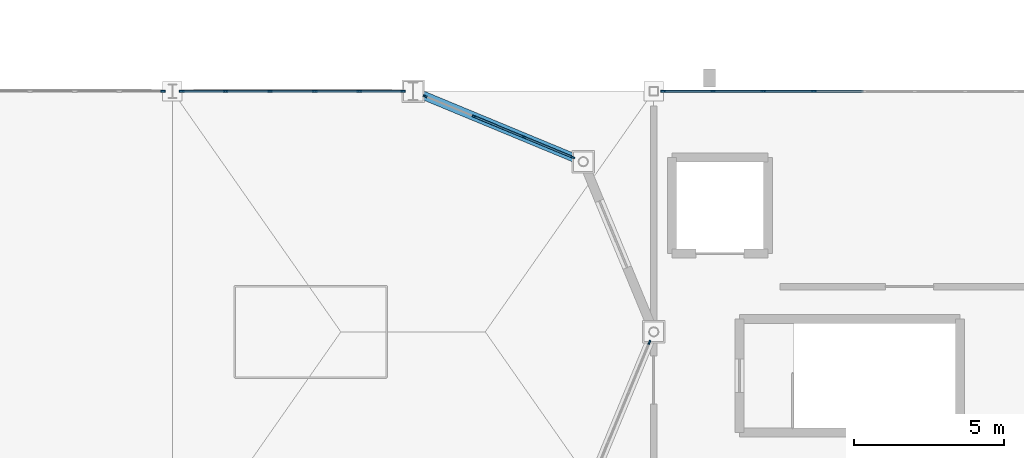
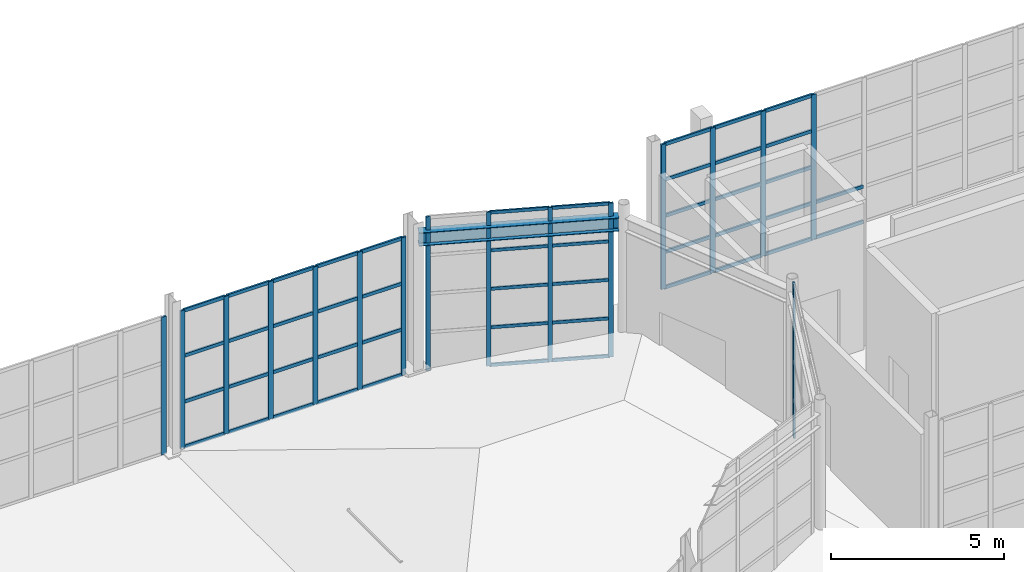
# One storey, part 45 of 82: 63 members, 1 beam, 5 elements without a shape of their own.
"""IFC4 building model written with IfcOpenShell, lengths in metres."""

from ifc_helpers import new_model, si_unit, direction, frame, origin, origin_2d, place, context, subcontext, project, spatial, rectangle, i_section, extrude, material, material_profile, profile_set, type_object, element, aggregate, save


model = new_model("IFC4")

# Units and contexts
model_context = context("Model", 3, precision=1e-05, world=origin(), true_north=direction((0.0, 1.0)))
body_context = subcontext(model_context, "Body", "Model", "MODEL_VIEW")
ifc_project = project(units=[si_unit("LENGTHUNIT", "METRE"), si_unit("AREAUNIT", "SQUARE_METRE"), si_unit("VOLUMEUNIT", "CUBIC_METRE"), si_unit("PLANEANGLEUNIT", "RADIAN"), si_unit("MASSUNIT", "GRAM", prefix="KILO")], contexts=[model_context])

# Site, building, storey
site_placement = place(None, origin())
site = spatial("IfcSite", under=ifc_project, at=site_placement, CompositionType="ELEMENT")
building_placement = place(site_placement, origin())
building = spatial("IfcBuilding", under=site, at=building_placement, Name="Serraluz Foothill Cableway Terminal", CompositionType="ELEMENT")
storey_placement = place(building_placement, frame((0.0, 0.0, 9.60009765625)))
storey = spatial("IfcBuildingStorey", under=building, at=storey_placement, Name="L02", CompositionType="ELEMENT", Elevation=9.60009765625)

# Curtain wall, members
ifc_material_1 = material(Name="Architectural bronze alloy C28000", Category="aluminium")
curtain_wall_type_1 = type_object("IfcCurtainWallType", Name="TYP-CW-480X380", PredefinedType="NOTDEFINED", material=ifc_material_1)
curtain_wall_1_placement = place(storey_placement, origin())
curtain_wall_1 = element("IfcCurtainWall", 1, at=curtain_wall_1_placement, inside=storey, type_object=curtain_wall_type_1, Name="Ribbed Glazed Curtain Wall CW-V1-E-L02-1", PredefinedType="NOTDEFINED")
ifc_material_2 = material(Name="Extruded aluminium 6063-T6", Category="aluminium")
ifc_material_profile_1 = material_profile(ifc_material_2, rectangle(XDim=0.054931640625, YDim=0.139892578125, at=origin_2d()), Name="ALU MULLION 55x140")
ifc_profile_set_1 = profile_set([ifc_material_profile_1], Name="Extruded aluminium 6063-T6")
member_type_1 = type_object("IfcMemberType", Name="TYP-CW-MUL-55X140", PredefinedType="MULLION", material=ifc_profile_set_1)
member_1_placement = place(storey_placement, frame((152.40234375, 71.83349609375, 0.0), z_axis=(0.0, 0.0, 1.0), x_axis=(0.382681674752, 0.923880260537, 0.0)))
member_1 = element("IfcMember", 2, at=member_1_placement, type_object=member_type_1, Name="CW-14 mullion 1", PredefinedType="MULLION", context=body_context, shape_type="SweptSolid", body=[
    extrude(rectangle(XDim=0.054931640625, YDim=0.139892578125, at=origin_2d()), origin(), (0.0, 0.0, 1.0), 5.419921875),
])
member_2_placement = place(storey_placement, frame((154.028564453125, 71.15966796875, 0.0), z_axis=(0.0, 0.0, 1.0), x_axis=(0.382681674752, 0.923880260537, 0.0)))
member_2 = element("IfcMember", 3, at=member_2_placement, type_object=member_type_1, Name="CW-14 mullion 2", PredefinedType="MULLION", context=body_context, shape_type="SweptSolid", body=[
    extrude(rectangle(XDim=0.054931640625, YDim=0.139892578125, at=origin_2d()), origin(), (0.0, 0.0, 1.0), 5.419921875),
])
member_3_placement = place(storey_placement, frame((155.680419921875, 70.4755859375, 0.0), z_axis=(0.0, 0.0, 1.0), x_axis=(0.382681674752, 0.923880260537, 0.0)))
member_3 = element("IfcMember", 4, at=member_3_placement, type_object=member_type_1, Name="CW-14 mullion 3", PredefinedType="MULLION", context=body_context, shape_type="SweptSolid", body=[
    extrude(rectangle(XDim=0.054931640625, YDim=0.139892578125, at=origin_2d()), origin(), (0.0, 0.0, 1.0), 5.419921875),
])
member_4_placement = place(storey_placement, frame((157.306640625, 69.802001953125, 0.0), z_axis=(0.0, 0.0, 1.0), x_axis=(0.382681674752, 0.923880260537, 0.0)))
member_4 = element("IfcMember", 5, at=member_4_placement, type_object=member_type_1, Name="CW-14 mullion 4", PredefinedType="MULLION", context=body_context, shape_type="SweptSolid", body=[
    extrude(rectangle(XDim=0.054931640625, YDim=0.139892578125, at=origin_2d()), origin(), (0.0, 0.0, 1.0), 5.419921875),
])

# Curtain wall, member
curtain_wall_type_2 = type_object("IfcCurtainWallType", Name="TYP-CW-440X360", PredefinedType="NOTDEFINED", material=ifc_material_1)
curtain_wall_2_placement = place(storey_placement, origin())
curtain_wall_2 = element("IfcCurtainWall", 6, at=curtain_wall_2_placement, inside=storey, type_object=curtain_wall_type_2, Name="Ribbed Glazed Curtain Wall CW-V1-E-L02-3", PredefinedType="NOTDEFINED")
member_5_placement = place(storey_placement, frame((159.85498046875, 63.64990234375, 0.0), z_axis=(0.0, 0.0, 1.0), x_axis=(0.923878982655, -0.382684759834, 0.0)))
member_5 = element("IfcMember", 7, at=member_5_placement, type_object=member_type_1, Name="CW-16 mullion 1", PredefinedType="MULLION", context=body_context, shape_type="SweptSolid", body=[
    extrude(rectangle(XDim=0.054931640625, YDim=0.139892578125, at=origin_2d()), origin(), (0.0, 0.0, 1.0), 5.419921875),
])
aggregate(curtain_wall_2, [member_5])

curtain_wall_type_3 = type_object("IfcCurtainWallType", Name="TYP-CW-1280X440", PredefinedType="NOTDEFINED", material=ifc_material_1)
curtain_wall_3_placement = place(storey_placement, origin())
curtain_wall_3 = element("IfcCurtainWall", 8, at=curtain_wall_3_placement, inside=storey, type_object=curtain_wall_type_3, Name="Ribbed Glazed Curtain Wall CW-V1N-L02-136", PredefinedType="NOTDEFINED")
ifc_material_profile_2 = material_profile(ifc_material_1, rectangle(XDim=0.06005859375, YDim=0.159912109375, at=origin_2d()), Name="ALU MULLION 60x160")
ifc_profile_set_2 = profile_set([ifc_material_profile_2], Name="Architectural bronze alloy C28000")
member_type_2 = type_object("IfcMemberType", Name="TYP-CW-MUL-60X160", PredefinedType="MULLION", material=ifc_profile_set_2)
member_6_placement = place(storey_placement, frame((143.6884765625, 72.0, 0.0), z_axis=(0.0, 0.0, 1.0), x_axis=(0.0, 1.0, 0.0)))
member_6 = element("IfcMember", 9, at=member_6_placement, type_object=member_type_2, Name="CW-22 mullion 6", PredefinedType="MULLION", context=body_context, shape_type="SweptSolid", body=[
    extrude(rectangle(XDim=0.06005859375, YDim=0.159912109375, at=origin_2d()), origin(), (0.0, 0.0, 1.0), 4.849853515625),
])
aggregate(curtain_wall_3, [member_6])

# Curtain wall, members
curtain_wall_type_4 = type_object("IfcCurtainWallType", Name="TYP-CW-1480X420", PredefinedType="NOTDEFINED", material=ifc_material_1)
curtain_wall_4_placement = place(storey_placement, origin())
curtain_wall_4 = element("IfcCurtainWall", 10, at=curtain_wall_4_placement, inside=storey, type_object=curtain_wall_type_4, Name="Ribbed Glazed Curtain Wall CW-V1N-L02-144", PredefinedType="NOTDEFINED")
member_7_placement = place(storey_placement, frame((144.3115234375, 72.0, 0.0), z_axis=(0.0, 0.0, 1.0), x_axis=(0.0, 1.0, 0.0)))
member_7 = element("IfcMember", 11, at=member_7_placement, type_object=member_type_2, Name="CW-23 mullion 1", PredefinedType="MULLION", context=body_context, shape_type="SweptSolid", body=[
    extrude(rectangle(XDim=0.06005859375, YDim=0.159912109375, at=origin_2d()), origin(), (0.0, 0.0, 1.0), 4.849853515625),
])
member_8_placement = place(storey_placement, frame((145.7646484375, 72.0, 0.0), z_axis=(0.0, 0.0, 1.0), x_axis=(0.0, 1.0, 0.0)))
member_8 = element("IfcMember", 12, at=member_8_placement, type_object=member_type_2, Name="CW-23 mullion 2", PredefinedType="MULLION", context=body_context, shape_type="SweptSolid", body=[
    extrude(rectangle(XDim=0.06005859375, YDim=0.159912109375, at=origin_2d()), origin(), (0.0, 0.0, 1.0), 4.849853515625),
])
member_9_placement = place(storey_placement, frame((147.247802734375, 72.0, 0.0), z_axis=(0.0, 0.0, 1.0), x_axis=(0.0, 1.0, 0.0)))
member_9 = element("IfcMember", 13, at=member_9_placement, type_object=member_type_2, Name="CW-23 mullion 3", PredefinedType="MULLION", context=body_context, shape_type="SweptSolid", body=[
    extrude(rectangle(XDim=0.06005859375, YDim=0.159912109375, at=origin_2d()), origin(), (0.0, 0.0, 1.0), 4.849853515625),
])
member_10_placement = place(storey_placement, frame((148.731201171875, 72.0, 0.0), z_axis=(0.0, 0.0, 1.0), x_axis=(0.0, 1.0, 0.0)))
member_10 = element("IfcMember", 14, at=member_10_placement, type_object=member_type_2, Name="CW-23 mullion 4", PredefinedType="MULLION", context=body_context, shape_type="SweptSolid", body=[
    extrude(rectangle(XDim=0.06005859375, YDim=0.159912109375, at=origin_2d()), origin(), (0.0, 0.0, 1.0), 4.849853515625),
])
member_11_placement = place(storey_placement, frame((150.21435546875, 72.0, 0.0), z_axis=(0.0, 0.0, 1.0), x_axis=(0.0, 1.0, 0.0)))
member_11 = element("IfcMember", 15, at=member_11_placement, type_object=member_type_2, Name="CW-23 mullion 5", PredefinedType="MULLION", context=body_context, shape_type="SweptSolid", body=[
    extrude(rectangle(XDim=0.06005859375, YDim=0.159912109375, at=origin_2d()), origin(), (0.0, 0.0, 1.0), 4.849853515625),
])
member_12_placement = place(storey_placement, frame((151.66748046875, 72.0, 0.0), z_axis=(0.0, 0.0, 1.0), x_axis=(0.0, 1.0, 0.0)))
member_12 = element("IfcMember", 16, at=member_12_placement, type_object=member_type_2, Name="CW-23 mullion 6", PredefinedType="MULLION", context=body_context, shape_type="SweptSolid", body=[
    extrude(rectangle(XDim=0.06005859375, YDim=0.159912109375, at=origin_2d()), origin(), (0.0, 0.0, 1.0), 4.849853515625),
])

curtain_wall_5_placement = place(storey_placement, origin())
curtain_wall_5 = element("IfcCurtainWall", 17, at=curtain_wall_5_placement, inside=storey, type_object=curtain_wall_type_3, Name="Ribbed Glazed Curtain Wall CW-V2N-L02", PredefinedType="NOTDEFINED")
member_13_placement = place(storey_placement, frame((160.320068359375, 72.0, 0.0), z_axis=(0.0, 0.0, 1.0), x_axis=(0.0, 1.0, 0.0)))
member_13 = element("IfcMember", 18, at=member_13_placement, type_object=member_type_2, Name="CW-22 mullion 1", PredefinedType="MULLION", context=body_context, shape_type="SweptSolid", body=[
    extrude(rectangle(XDim=0.06005859375, YDim=0.159912109375, at=origin_2d()), origin(), (0.0, 0.0, 1.0), 5.099853515625),
])
member_14_placement = place(storey_placement, frame((161.967529296875, 72.0, 0.0), z_axis=(0.0, 0.0, 1.0), x_axis=(0.0, 1.0, 0.0)))
member_14 = element("IfcMember", 19, at=member_14_placement, type_object=member_type_2, Name="CW-22 mullion 2", PredefinedType="MULLION", context=body_context, shape_type="SweptSolid", body=[
    extrude(rectangle(XDim=0.06005859375, YDim=0.159912109375, at=origin_2d()), origin(), (0.0, 0.0, 1.0), 5.099853515625),
])
member_15_placement = place(storey_placement, frame((163.64501953125, 72.0, 0.0), z_axis=(0.0, 0.0, 1.0), x_axis=(0.0, 1.0, 0.0)))
member_15 = element("IfcMember", 20, at=member_15_placement, type_object=member_type_2, Name="CW-22 mullion 3", PredefinedType="MULLION", context=body_context, shape_type="SweptSolid", body=[
    extrude(rectangle(XDim=0.06005859375, YDim=0.159912109375, at=origin_2d()), origin(), (0.0, 0.0, 1.0), 5.099853515625),
])
member_16_placement = place(storey_placement, frame((165.322509765625, 72.0, 0.0), z_axis=(0.0, 0.0, 1.0), x_axis=(0.0, 1.0, 0.0)))
member_16 = element("IfcMember", 21, at=member_16_placement, type_object=member_type_2, Name="CW-22 mullion 4", PredefinedType="MULLION", context=body_context, shape_type="SweptSolid", body=[
    extrude(rectangle(XDim=0.06005859375, YDim=0.159912109375, at=origin_2d()), origin(), (0.0, 0.0, 1.0), 5.099853515625),
])

# Member
ifc_material_profile_3 = material_profile(ifc_material_2, rectangle(XDim=0.054931640625, YDim=0.110107421875, at=origin_2d()), Name="ALU TRANSOM 55x110")
ifc_profile_set_3 = profile_set([ifc_material_profile_3], Name="Extruded aluminium 6063-T6")
member_type_3 = type_object("IfcMemberType", Name="TYP-CW-TRN-55X110", PredefinedType="USERDEFINED", material=ifc_profile_set_3)
member_17_placement = place(storey_placement, frame((154.053955078125, 71.149169921875, 0.02734375), z_axis=(0.923900079523, -0.382633823724, 0.0), x_axis=(0.382633823724, 0.923900079523, 0.0)))
member_17 = element("IfcMember", 22, at=member_17_placement, type_object=member_type_3, Name="CW-14 transom 2.1", ObjectType="TRANSOM", PredefinedType="USERDEFINED", context=body_context, shape_type="SweptSolid", body=[
    extrude(rectangle(XDim=0.054931640625, YDim=0.110107421875, at=origin_2d()), origin(), (0.0, 0.0, 1.0), 1.73291015625),
])

member_18_placement = place(storey_placement, frame((154.053955078125, 71.149169921875, 1.35498046875), z_axis=(0.923900079523, -0.382633823724, 0.0), x_axis=(0.382633823724, 0.923900079523, 0.0)))
member_18 = element("IfcMember", 23, at=member_18_placement, type_object=member_type_3, Name="CW-14 transom 2.2", ObjectType="TRANSOM", PredefinedType="USERDEFINED", context=body_context, shape_type="SweptSolid", body=[
    extrude(rectangle(XDim=0.054931640625, YDim=0.110107421875, at=origin_2d()), origin(), (0.0, 0.0, 1.0), 1.73291015625),
])

member_19_placement = place(storey_placement, frame((154.053955078125, 71.149169921875, 2.7099609375), z_axis=(0.923900079523, -0.382633823724, 0.0), x_axis=(0.382633823724, 0.923900079523, 0.0)))
member_19 = element("IfcMember", 24, at=member_19_placement, type_object=member_type_3, Name="CW-14 transom 2.3", ObjectType="TRANSOM", PredefinedType="USERDEFINED", context=body_context, shape_type="SweptSolid", body=[
    extrude(rectangle(XDim=0.054931640625, YDim=0.110107421875, at=origin_2d()), origin(), (0.0, 0.0, 1.0), 1.73291015625),
])

member_20_placement = place(storey_placement, frame((154.053955078125, 71.149169921875, 4.06494140625), z_axis=(0.923900079523, -0.382633823724, 0.0), x_axis=(0.382633823724, 0.923900079523, 0.0)))
member_20 = element("IfcMember", 25, at=member_20_placement, type_object=member_type_3, Name="CW-14 transom 2.4", ObjectType="TRANSOM", PredefinedType="USERDEFINED", context=body_context, shape_type="SweptSolid", body=[
    extrude(rectangle(XDim=0.054931640625, YDim=0.110107421875, at=origin_2d()), origin(), (0.0, 0.0, 1.0), 1.73291015625),
])

member_21_placement = place(storey_placement, frame((154.053955078125, 71.149169921875, 5.392333984375), z_axis=(0.923900079523, -0.382633823724, 0.0), x_axis=(0.382633823724, 0.923900079523, 0.0)))
member_21 = element("IfcMember", 26, at=member_21_placement, type_object=member_type_3, Name="CW-14 transom 2.5", ObjectType="TRANSOM", PredefinedType="USERDEFINED", context=body_context, shape_type="SweptSolid", body=[
    extrude(rectangle(XDim=0.054931640625, YDim=0.110107421875, at=origin_2d()), origin(), (0.0, 0.0, 1.0), 1.73291015625),
])

member_22_placement = place(storey_placement, frame((155.705810546875, 70.465087890625, 0.02734375), z_axis=(0.923875488976, -0.382693194178, 0.0), x_axis=(0.382693194178, 0.923875488976, 0.0)))
member_22 = element("IfcMember", 27, at=member_22_placement, type_object=member_type_3, Name="CW-14 transom 3.1", ObjectType="TRANSOM", PredefinedType="USERDEFINED", context=body_context, shape_type="SweptSolid", body=[
    extrude(rectangle(XDim=0.054931640625, YDim=0.110107421875, at=origin_2d()), origin(), (0.0, 0.0, 1.0), 1.705322265625),
])

member_23_placement = place(storey_placement, frame((155.705810546875, 70.465087890625, 1.35498046875), z_axis=(0.923875488976, -0.382693194178, 0.0), x_axis=(0.382693194178, 0.923875488976, 0.0)))
member_23 = element("IfcMember", 28, at=member_23_placement, type_object=member_type_3, Name="CW-14 transom 3.2", ObjectType="TRANSOM", PredefinedType="USERDEFINED", context=body_context, shape_type="SweptSolid", body=[
    extrude(rectangle(XDim=0.054931640625, YDim=0.110107421875, at=origin_2d()), origin(), (0.0, 0.0, 1.0), 1.705322265625),
])

member_24_placement = place(storey_placement, frame((155.705810546875, 70.465087890625, 2.7099609375), z_axis=(0.923875488976, -0.382693194178, 0.0), x_axis=(0.382693194178, 0.923875488976, 0.0)))
member_24 = element("IfcMember", 29, at=member_24_placement, type_object=member_type_3, Name="CW-14 transom 3.3", ObjectType="TRANSOM", PredefinedType="USERDEFINED", context=body_context, shape_type="SweptSolid", body=[
    extrude(rectangle(XDim=0.054931640625, YDim=0.110107421875, at=origin_2d()), origin(), (0.0, 0.0, 1.0), 1.705322265625),
])

member_25_placement = place(storey_placement, frame((155.705810546875, 70.465087890625, 4.06494140625), z_axis=(0.923875488976, -0.382693194178, 0.0), x_axis=(0.382693194178, 0.923875488976, 0.0)))
member_25 = element("IfcMember", 30, at=member_25_placement, type_object=member_type_3, Name="CW-14 transom 3.4", ObjectType="TRANSOM", PredefinedType="USERDEFINED", context=body_context, shape_type="SweptSolid", body=[
    extrude(rectangle(XDim=0.054931640625, YDim=0.110107421875, at=origin_2d()), origin(), (0.0, 0.0, 1.0), 1.705322265625),
])

member_26_placement = place(storey_placement, frame((155.705810546875, 70.465087890625, 5.392333984375), z_axis=(0.923875488976, -0.382693194178, 0.0), x_axis=(0.382693194178, 0.923875488976, 0.0)))
member_26 = element("IfcMember", 31, at=member_26_placement, type_object=member_type_3, Name="CW-14 transom 3.5", ObjectType="TRANSOM", PredefinedType="USERDEFINED", context=body_context, shape_type="SweptSolid", body=[
    extrude(rectangle(XDim=0.054931640625, YDim=0.110107421875, at=origin_2d()), origin(), (0.0, 0.0, 1.0), 1.705322265625),
])

aggregate(curtain_wall_1, [member_1, member_2, member_3, member_4, member_17, member_18, member_19, member_20, member_21, member_22, member_23, member_24, member_25, member_26])

ifc_material_profile_4 = material_profile(ifc_material_1, rectangle(XDim=0.06005859375, YDim=0.1201171875, at=origin_2d()), Name="ALU TRANSOM 60x120")
ifc_profile_set_4 = profile_set([ifc_material_profile_4], Name="Architectural bronze alloy C28000")
member_type_4 = type_object("IfcMemberType", Name="TYP-CW-TRN-60X120", PredefinedType="USERDEFINED", material=ifc_profile_set_4)
member_27_placement = place(storey_placement, frame((144.341552734375, 72.0, 0.02978515625), z_axis=(1.0, 0.0, 0.0), x_axis=(0.0, 1.0, 0.0)))
member_27 = element("IfcMember", 32, at=member_27_placement, type_object=member_type_4, Name="CW-23 transom 1.1", ObjectType="TRANSOM", PredefinedType="USERDEFINED", context=body_context, shape_type="SweptSolid", body=[
    extrude(rectangle(XDim=0.06005859375, YDim=0.1201171875, at=origin_2d()), origin(), (0.0, 0.0, 1.0), 1.39306640625),
])

member_28_placement = place(storey_placement, frame((144.341552734375, 72.0, 1.61669921875), z_axis=(1.0, 0.0, 0.0), x_axis=(0.0, 1.0, 0.0)))
member_28 = element("IfcMember", 33, at=member_28_placement, type_object=member_type_4, Name="CW-23 transom 1.2", ObjectType="TRANSOM", PredefinedType="USERDEFINED", context=body_context, shape_type="SweptSolid", body=[
    extrude(rectangle(XDim=0.06005859375, YDim=0.1201171875, at=origin_2d()), origin(), (0.0, 0.0, 1.0), 1.39306640625),
])

member_29_placement = place(storey_placement, frame((144.341552734375, 72.0, 3.233154296875), z_axis=(1.0, 0.0, 0.0), x_axis=(0.0, 1.0, 0.0)))
member_29 = element("IfcMember", 34, at=member_29_placement, type_object=member_type_4, Name="CW-23 transom 1.3", ObjectType="TRANSOM", PredefinedType="USERDEFINED", context=body_context, shape_type="SweptSolid", body=[
    extrude(rectangle(XDim=0.06005859375, YDim=0.1201171875, at=origin_2d()), origin(), (0.0, 0.0, 1.0), 1.39306640625),
])

member_30_placement = place(storey_placement, frame((144.341552734375, 72.0, 4.81982421875), z_axis=(1.0, 0.0, 0.0), x_axis=(0.0, 1.0, 0.0)))
member_30 = element("IfcMember", 35, at=member_30_placement, type_object=member_type_4, Name="CW-23 transom 1.4", ObjectType="TRANSOM", PredefinedType="USERDEFINED", context=body_context, shape_type="SweptSolid", body=[
    extrude(rectangle(XDim=0.06005859375, YDim=0.1201171875, at=origin_2d()), origin(), (0.0, 0.0, 1.0), 1.39306640625),
])

member_31_placement = place(storey_placement, frame((145.794677734375, 72.0, 0.02978515625), z_axis=(1.0, 0.0, 0.0), x_axis=(0.0, 1.0, 0.0)))
member_31 = element("IfcMember", 36, at=member_31_placement, type_object=member_type_4, Name="CW-23 transom 2.1", ObjectType="TRANSOM", PredefinedType="USERDEFINED", context=body_context, shape_type="SweptSolid", body=[
    extrude(rectangle(XDim=0.06005859375, YDim=0.1201171875, at=origin_2d()), origin(), (0.0, 0.0, 1.0), 1.42333984375),
])

member_32_placement = place(storey_placement, frame((145.794677734375, 72.0, 1.61669921875), z_axis=(1.0, 0.0, 0.0), x_axis=(0.0, 1.0, 0.0)))
member_32 = element("IfcMember", 37, at=member_32_placement, type_object=member_type_4, Name="CW-23 transom 2.2", ObjectType="TRANSOM", PredefinedType="USERDEFINED", context=body_context, shape_type="SweptSolid", body=[
    extrude(rectangle(XDim=0.06005859375, YDim=0.1201171875, at=origin_2d()), origin(), (0.0, 0.0, 1.0), 1.42333984375),
])

member_33_placement = place(storey_placement, frame((145.794677734375, 72.0, 3.233154296875), z_axis=(1.0, 0.0, 0.0), x_axis=(0.0, 1.0, 0.0)))
member_33 = element("IfcMember", 38, at=member_33_placement, type_object=member_type_4, Name="CW-23 transom 2.3", ObjectType="TRANSOM", PredefinedType="USERDEFINED", context=body_context, shape_type="SweptSolid", body=[
    extrude(rectangle(XDim=0.06005859375, YDim=0.1201171875, at=origin_2d()), origin(), (0.0, 0.0, 1.0), 1.42333984375),
])

member_34_placement = place(storey_placement, frame((145.794677734375, 72.0, 4.81982421875), z_axis=(1.0, 0.0, 0.0), x_axis=(0.0, 1.0, 0.0)))
member_34 = element("IfcMember", 39, at=member_34_placement, type_object=member_type_4, Name="CW-23 transom 2.4", ObjectType="TRANSOM", PredefinedType="USERDEFINED", context=body_context, shape_type="SweptSolid", body=[
    extrude(rectangle(XDim=0.06005859375, YDim=0.1201171875, at=origin_2d()), origin(), (0.0, 0.0, 1.0), 1.42333984375),
])

member_35_placement = place(storey_placement, frame((147.27783203125, 72.0, 0.02978515625), z_axis=(1.0, 0.0, 0.0), x_axis=(0.0, 1.0, 0.0)))
member_35 = element("IfcMember", 40, at=member_35_placement, type_object=member_type_4, Name="CW-23 transom 3.1", ObjectType="TRANSOM", PredefinedType="USERDEFINED", context=body_context, shape_type="SweptSolid", body=[
    extrude(rectangle(XDim=0.06005859375, YDim=0.1201171875, at=origin_2d()), origin(), (0.0, 0.0, 1.0), 1.42333984375),
])

member_36_placement = place(storey_placement, frame((147.27783203125, 72.0, 1.61669921875), z_axis=(1.0, 0.0, 0.0), x_axis=(0.0, 1.0, 0.0)))
member_36 = element("IfcMember", 41, at=member_36_placement, type_object=member_type_4, Name="CW-23 transom 3.2", ObjectType="TRANSOM", PredefinedType="USERDEFINED", context=body_context, shape_type="SweptSolid", body=[
    extrude(rectangle(XDim=0.06005859375, YDim=0.1201171875, at=origin_2d()), origin(), (0.0, 0.0, 1.0), 1.42333984375),
])

member_37_placement = place(storey_placement, frame((147.27783203125, 72.0, 3.233154296875), z_axis=(1.0, 0.0, 0.0), x_axis=(0.0, 1.0, 0.0)))
member_37 = element("IfcMember", 42, at=member_37_placement, type_object=member_type_4, Name="CW-23 transom 3.3", ObjectType="TRANSOM", PredefinedType="USERDEFINED", context=body_context, shape_type="SweptSolid", body=[
    extrude(rectangle(XDim=0.06005859375, YDim=0.1201171875, at=origin_2d()), origin(), (0.0, 0.0, 1.0), 1.42333984375),
])

member_38_placement = place(storey_placement, frame((147.27783203125, 72.0, 4.81982421875), z_axis=(1.0, 0.0, 0.0), x_axis=(0.0, 1.0, 0.0)))
member_38 = element("IfcMember", 43, at=member_38_placement, type_object=member_type_4, Name="CW-23 transom 3.4", ObjectType="TRANSOM", PredefinedType="USERDEFINED", context=body_context, shape_type="SweptSolid", body=[
    extrude(rectangle(XDim=0.06005859375, YDim=0.1201171875, at=origin_2d()), origin(), (0.0, 0.0, 1.0), 1.42333984375),
])

member_39_placement = place(storey_placement, frame((148.760986328125, 72.0, 0.02978515625), z_axis=(1.0, 0.0, 0.0), x_axis=(0.0, 1.0, 0.0)))
member_39 = element("IfcMember", 44, at=member_39_placement, type_object=member_type_4, Name="CW-23 transom 4.1", ObjectType="TRANSOM", PredefinedType="USERDEFINED", context=body_context, shape_type="SweptSolid", body=[
    extrude(rectangle(XDim=0.06005859375, YDim=0.1201171875, at=origin_2d()), origin(), (0.0, 0.0, 1.0), 1.42333984375),
])

member_40_placement = place(storey_placement, frame((148.760986328125, 72.0, 1.61669921875), z_axis=(1.0, 0.0, 0.0), x_axis=(0.0, 1.0, 0.0)))
member_40 = element("IfcMember", 45, at=member_40_placement, type_object=member_type_4, Name="CW-23 transom 4.2", ObjectType="TRANSOM", PredefinedType="USERDEFINED", context=body_context, shape_type="SweptSolid", body=[
    extrude(rectangle(XDim=0.06005859375, YDim=0.1201171875, at=origin_2d()), origin(), (0.0, 0.0, 1.0), 1.42333984375),
])

member_41_placement = place(storey_placement, frame((148.760986328125, 72.0, 3.233154296875), z_axis=(1.0, 0.0, 0.0), x_axis=(0.0, 1.0, 0.0)))
member_41 = element("IfcMember", 46, at=member_41_placement, type_object=member_type_4, Name="CW-23 transom 4.3", ObjectType="TRANSOM", PredefinedType="USERDEFINED", context=body_context, shape_type="SweptSolid", body=[
    extrude(rectangle(XDim=0.06005859375, YDim=0.1201171875, at=origin_2d()), origin(), (0.0, 0.0, 1.0), 1.42333984375),
])

member_42_placement = place(storey_placement, frame((148.760986328125, 72.0, 4.81982421875), z_axis=(1.0, 0.0, 0.0), x_axis=(0.0, 1.0, 0.0)))
member_42 = element("IfcMember", 47, at=member_42_placement, type_object=member_type_4, Name="CW-23 transom 4.4", ObjectType="TRANSOM", PredefinedType="USERDEFINED", context=body_context, shape_type="SweptSolid", body=[
    extrude(rectangle(XDim=0.06005859375, YDim=0.1201171875, at=origin_2d()), origin(), (0.0, 0.0, 1.0), 1.42333984375),
])

member_43_placement = place(storey_placement, frame((150.244384765625, 72.0, 0.02978515625), z_axis=(1.0, 0.0, 0.0), x_axis=(0.0, 1.0, 0.0)))
member_43 = element("IfcMember", 48, at=member_43_placement, type_object=member_type_4, Name="CW-23 transom 5.1", ObjectType="TRANSOM", PredefinedType="USERDEFINED", context=body_context, shape_type="SweptSolid", body=[
    extrude(rectangle(XDim=0.06005859375, YDim=0.1201171875, at=origin_2d()), origin(), (0.0, 0.0, 1.0), 1.39306640625),
])

member_44_placement = place(storey_placement, frame((150.244384765625, 72.0, 1.61669921875), z_axis=(1.0, 0.0, 0.0), x_axis=(0.0, 1.0, 0.0)))
member_44 = element("IfcMember", 49, at=member_44_placement, type_object=member_type_4, Name="CW-23 transom 5.2", ObjectType="TRANSOM", PredefinedType="USERDEFINED", context=body_context, shape_type="SweptSolid", body=[
    extrude(rectangle(XDim=0.06005859375, YDim=0.1201171875, at=origin_2d()), origin(), (0.0, 0.0, 1.0), 1.39306640625),
])

member_45_placement = place(storey_placement, frame((150.244384765625, 72.0, 3.233154296875), z_axis=(1.0, 0.0, 0.0), x_axis=(0.0, 1.0, 0.0)))
member_45 = element("IfcMember", 50, at=member_45_placement, type_object=member_type_4, Name="CW-23 transom 5.3", ObjectType="TRANSOM", PredefinedType="USERDEFINED", context=body_context, shape_type="SweptSolid", body=[
    extrude(rectangle(XDim=0.06005859375, YDim=0.1201171875, at=origin_2d()), origin(), (0.0, 0.0, 1.0), 1.39306640625),
])

member_46_placement = place(storey_placement, frame((150.244384765625, 72.0, 4.81982421875), z_axis=(1.0, 0.0, 0.0), x_axis=(0.0, 1.0, 0.0)))
member_46 = element("IfcMember", 51, at=member_46_placement, type_object=member_type_4, Name="CW-23 transom 5.4", ObjectType="TRANSOM", PredefinedType="USERDEFINED", context=body_context, shape_type="SweptSolid", body=[
    extrude(rectangle(XDim=0.06005859375, YDim=0.1201171875, at=origin_2d()), origin(), (0.0, 0.0, 1.0), 1.39306640625),
])

aggregate(curtain_wall_4, [member_7, member_8, member_9, member_10, member_11, member_12, member_27, member_28, member_29, member_30, member_31, member_32, member_33, member_34, member_35, member_36, member_37, member_38, member_39, member_40, member_41, member_42, member_43, member_44, member_45, member_46])

member_47_placement = place(storey_placement, frame((160.35009765625, 72.0, 0.02978515625), z_axis=(1.0, 0.0, 0.0), x_axis=(0.0, 1.0, 0.0)))
member_47 = element("IfcMember", 52, at=member_47_placement, type_object=member_type_4, Name="CW-22 transom 1.1", ObjectType="TRANSOM", PredefinedType="USERDEFINED", context=body_context, shape_type="SweptSolid", body=[
    extrude(rectangle(XDim=0.06005859375, YDim=0.1201171875, at=origin_2d()), origin(), (0.0, 0.0, 1.0), 1.58740234375),
])

member_48_placement = place(storey_placement, frame((160.35009765625, 72.0, 1.27490234375), z_axis=(1.0, 0.0, 0.0), x_axis=(0.0, 1.0, 0.0)))
member_48 = element("IfcMember", 53, at=member_48_placement, type_object=member_type_4, Name="CW-22 transom 1.2", ObjectType="TRANSOM", PredefinedType="USERDEFINED", context=body_context, shape_type="SweptSolid", body=[
    extrude(rectangle(XDim=0.06005859375, YDim=0.1201171875, at=origin_2d()), origin(), (0.0, 0.0, 1.0), 1.58740234375),
])

member_49_placement = place(storey_placement, frame((160.35009765625, 72.0, 2.5498046875), z_axis=(1.0, 0.0, 0.0), x_axis=(0.0, 1.0, 0.0)))
member_49 = element("IfcMember", 54, at=member_49_placement, type_object=member_type_4, Name="CW-22 transom 1.3", ObjectType="TRANSOM", PredefinedType="USERDEFINED", context=body_context, shape_type="SweptSolid", body=[
    extrude(rectangle(XDim=0.06005859375, YDim=0.1201171875, at=origin_2d()), origin(), (0.0, 0.0, 1.0), 1.58740234375),
])

member_50_placement = place(storey_placement, frame((160.35009765625, 72.0, 3.824951171875), z_axis=(1.0, 0.0, 0.0), x_axis=(0.0, 1.0, 0.0)))
member_50 = element("IfcMember", 55, at=member_50_placement, type_object=member_type_4, Name="CW-22 transom 1.4", ObjectType="TRANSOM", PredefinedType="USERDEFINED", context=body_context, shape_type="SweptSolid", body=[
    extrude(rectangle(XDim=0.06005859375, YDim=0.1201171875, at=origin_2d()), origin(), (0.0, 0.0, 1.0), 1.58740234375),
])

member_51_placement = place(storey_placement, frame((160.35009765625, 72.0, 5.06982421875), z_axis=(1.0, 0.0, 0.0), x_axis=(0.0, 1.0, 0.0)))
member_51 = element("IfcMember", 56, at=member_51_placement, type_object=member_type_4, Name="CW-22 transom 1.5", ObjectType="TRANSOM", PredefinedType="USERDEFINED", context=body_context, shape_type="SweptSolid", body=[
    extrude(rectangle(XDim=0.06005859375, YDim=0.1201171875, at=origin_2d()), origin(), (0.0, 0.0, 1.0), 1.58740234375),
])

member_52_placement = place(storey_placement, frame((161.99755859375, 72.0, 0.02978515625), z_axis=(1.0, 0.0, 0.0), x_axis=(0.0, 1.0, 0.0)))
member_52 = element("IfcMember", 57, at=member_52_placement, type_object=member_type_4, Name="CW-22 transom 2.1", ObjectType="TRANSOM", PredefinedType="USERDEFINED", context=body_context, shape_type="SweptSolid", body=[
    extrude(rectangle(XDim=0.06005859375, YDim=0.1201171875, at=origin_2d()), origin(), (0.0, 0.0, 1.0), 1.617431640625),
])

member_53_placement = place(storey_placement, frame((161.99755859375, 72.0, 1.27490234375), z_axis=(1.0, 0.0, 0.0), x_axis=(0.0, 1.0, 0.0)))
member_53 = element("IfcMember", 58, at=member_53_placement, type_object=member_type_4, Name="CW-22 transom 2.2", ObjectType="TRANSOM", PredefinedType="USERDEFINED", context=body_context, shape_type="SweptSolid", body=[
    extrude(rectangle(XDim=0.06005859375, YDim=0.1201171875, at=origin_2d()), origin(), (0.0, 0.0, 1.0), 1.617431640625),
])

member_54_placement = place(storey_placement, frame((161.99755859375, 72.0, 2.5498046875), z_axis=(1.0, 0.0, 0.0), x_axis=(0.0, 1.0, 0.0)))
member_54 = element("IfcMember", 59, at=member_54_placement, type_object=member_type_4, Name="CW-22 transom 2.3", ObjectType="TRANSOM", PredefinedType="USERDEFINED", context=body_context, shape_type="SweptSolid", body=[
    extrude(rectangle(XDim=0.06005859375, YDim=0.1201171875, at=origin_2d()), origin(), (0.0, 0.0, 1.0), 1.617431640625),
])

member_55_placement = place(storey_placement, frame((161.99755859375, 72.0, 3.824951171875), z_axis=(1.0, 0.0, 0.0), x_axis=(0.0, 1.0, 0.0)))
member_55 = element("IfcMember", 60, at=member_55_placement, type_object=member_type_4, Name="CW-22 transom 2.4", ObjectType="TRANSOM", PredefinedType="USERDEFINED", context=body_context, shape_type="SweptSolid", body=[
    extrude(rectangle(XDim=0.06005859375, YDim=0.1201171875, at=origin_2d()), origin(), (0.0, 0.0, 1.0), 1.617431640625),
])

member_56_placement = place(storey_placement, frame((161.99755859375, 72.0, 5.06982421875), z_axis=(1.0, 0.0, 0.0), x_axis=(0.0, 1.0, 0.0)))
member_56 = element("IfcMember", 61, at=member_56_placement, type_object=member_type_4, Name="CW-22 transom 2.5", ObjectType="TRANSOM", PredefinedType="USERDEFINED", context=body_context, shape_type="SweptSolid", body=[
    extrude(rectangle(XDim=0.06005859375, YDim=0.1201171875, at=origin_2d()), origin(), (0.0, 0.0, 1.0), 1.617431640625),
])

member_57_placement = place(storey_placement, frame((163.675048828125, 72.0, 0.02978515625), z_axis=(1.0, 0.0, 0.0), x_axis=(0.0, 1.0, 0.0)))
member_57 = element("IfcMember", 62, at=member_57_placement, type_object=member_type_4, Name="CW-22 transom 3.1", ObjectType="TRANSOM", PredefinedType="USERDEFINED", context=body_context, shape_type="SweptSolid", body=[
    extrude(rectangle(XDim=0.06005859375, YDim=0.1201171875, at=origin_2d()), origin(), (0.0, 0.0, 1.0), 1.617431640625),
])

member_58_placement = place(storey_placement, frame((163.675048828125, 72.0, 1.27490234375), z_axis=(1.0, 0.0, 0.0), x_axis=(0.0, 1.0, 0.0)))
member_58 = element("IfcMember", 63, at=member_58_placement, type_object=member_type_4, Name="CW-22 transom 3.2", ObjectType="TRANSOM", PredefinedType="USERDEFINED", context=body_context, shape_type="SweptSolid", body=[
    extrude(rectangle(XDim=0.06005859375, YDim=0.1201171875, at=origin_2d()), origin(), (0.0, 0.0, 1.0), 1.617431640625),
])

member_59_placement = place(storey_placement, frame((163.675048828125, 72.0, 2.5498046875), z_axis=(1.0, 0.0, 0.0), x_axis=(0.0, 1.0, 0.0)))
member_59 = element("IfcMember", 64, at=member_59_placement, type_object=member_type_4, Name="CW-22 transom 3.3", ObjectType="TRANSOM", PredefinedType="USERDEFINED", context=body_context, shape_type="SweptSolid", body=[
    extrude(rectangle(XDim=0.06005859375, YDim=0.1201171875, at=origin_2d()), origin(), (0.0, 0.0, 1.0), 1.617431640625),
])

member_60_placement = place(storey_placement, frame((163.675048828125, 72.0, 3.824951171875), z_axis=(1.0, 0.0, 0.0), x_axis=(0.0, 1.0, 0.0)))
member_60 = element("IfcMember", 65, at=member_60_placement, type_object=member_type_4, Name="CW-22 transom 3.4", ObjectType="TRANSOM", PredefinedType="USERDEFINED", context=body_context, shape_type="SweptSolid", body=[
    extrude(rectangle(XDim=0.06005859375, YDim=0.1201171875, at=origin_2d()), origin(), (0.0, 0.0, 1.0), 1.617431640625),
])

member_61_placement = place(storey_placement, frame((163.675048828125, 72.0, 5.06982421875), z_axis=(1.0, 0.0, 0.0), x_axis=(0.0, 1.0, 0.0)))
member_61 = element("IfcMember", 66, at=member_61_placement, type_object=member_type_4, Name="CW-22 transom 3.5", ObjectType="TRANSOM", PredefinedType="USERDEFINED", context=body_context, shape_type="SweptSolid", body=[
    extrude(rectangle(XDim=0.06005859375, YDim=0.1201171875, at=origin_2d()), origin(), (0.0, 0.0, 1.0), 1.617431640625),
])

member_62_placement = place(storey_placement, frame((165.3525390625, 72.0, 0.02978515625), z_axis=(1.0, 0.0, 0.0), x_axis=(0.0, 1.0, 0.0)))
member_62 = element("IfcMember", 67, at=member_62_placement, type_object=member_type_4, Name="CW-22 transom 4.1", ObjectType="TRANSOM", PredefinedType="USERDEFINED", context=body_context, shape_type="SweptSolid", body=[
    extrude(rectangle(XDim=0.06005859375, YDim=0.1201171875, at=origin_2d()), origin(), (0.0, 0.0, 1.0), 1.617431640625),
])

member_63_placement = place(storey_placement, frame((165.3525390625, 72.0, 1.27490234375), z_axis=(1.0, 0.0, 0.0), x_axis=(0.0, 1.0, 0.0)))
member_63 = element("IfcMember", 68, at=member_63_placement, type_object=member_type_4, Name="CW-22 transom 4.2", ObjectType="TRANSOM", PredefinedType="USERDEFINED", context=body_context, shape_type="SweptSolid", body=[
    extrude(rectangle(XDim=0.06005859375, YDim=0.1201171875, at=origin_2d()), origin(), (0.0, 0.0, 1.0), 1.617431640625),
])

aggregate(curtain_wall_5, [member_13, member_14, member_15, member_16, member_47, member_48, member_49, member_50, member_51, member_52, member_53, member_54, member_55, member_56, member_57, member_58, member_59, member_60, member_61, member_62, member_63])

# Beam
ifc_material_3 = material(Name="Steel ASTM A992 Grade 50", Category="steel")
ifc_material_profile_5 = material_profile(ifc_material_3, i_section(OverallWidth=0.282958984375, OverallDepth=0.471923828125, WebThickness=0.013671875, FlangeThickness=0.022216796875, FilletRadius=0.014892578125, at=origin_2d()), Name="W18X97")
ifc_profile_set_5 = profile_set([ifc_material_profile_5], Name="Steel ASTM A992 Grade 50")
beam_type = type_object("IfcBeamType", Name="TYP-SP-W18X97", PredefinedType="SPANDREL", material=ifc_profile_set_5)
beam_placement = place(storey_placement, frame((157.518310546875, 69.71435546875, 4.7138671875), z_axis=(-0.923882435674, 0.382676423435, 0.0), x_axis=(-0.382676423435, -0.923882435674, 0.0)))
element("IfcBeam", 69, at=beam_placement, inside=storey, type_object=beam_type, Name="Curved End Ring Beam E-L02-4", PredefinedType="SPANDREL", context=body_context, shape_type="SweptSolid", body=[
    extrude(i_section(OverallWidth=0.282958984375, OverallDepth=0.471923828125, WebThickness=0.013671875, FlangeThickness=0.022216796875, FilletRadius=0.014892578125, at=origin_2d()), origin(), (0.0, 0.0, 1.0), 5.82275390625),
])

save(model, "model.ifc")
